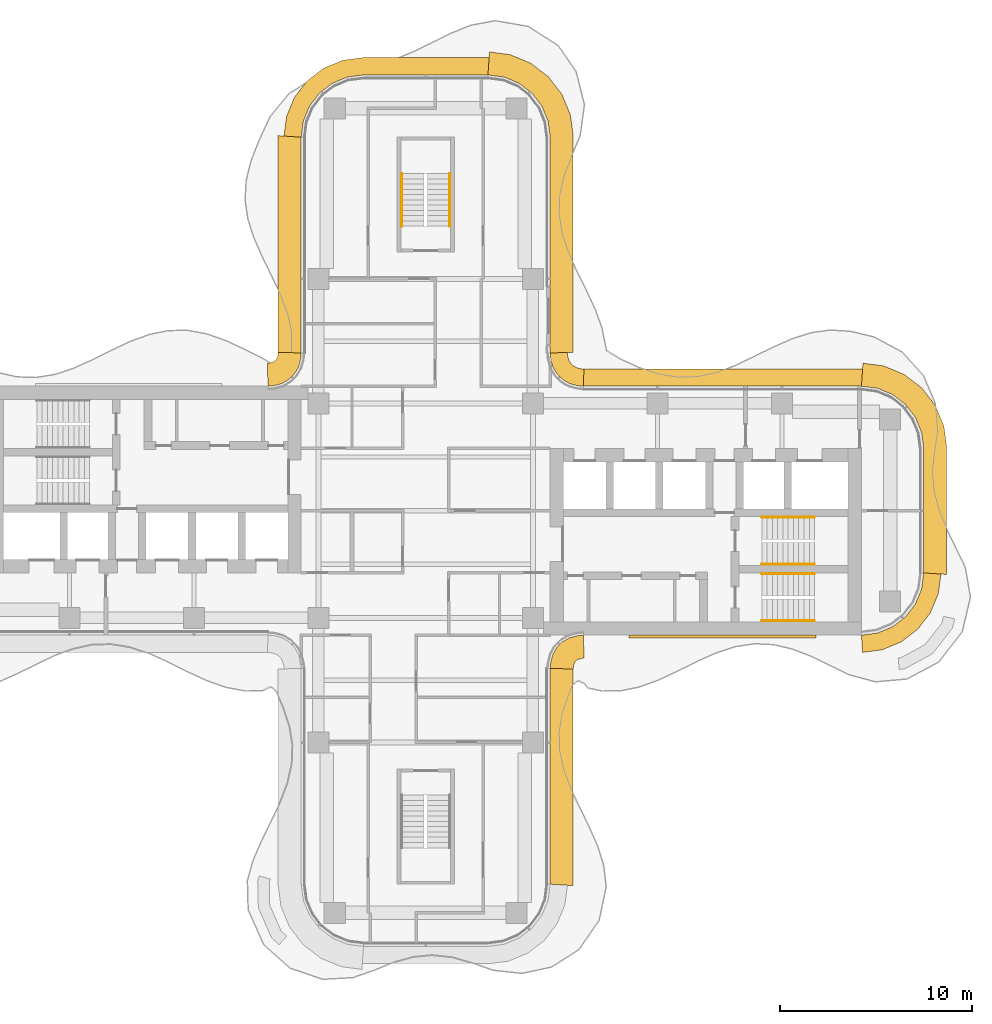
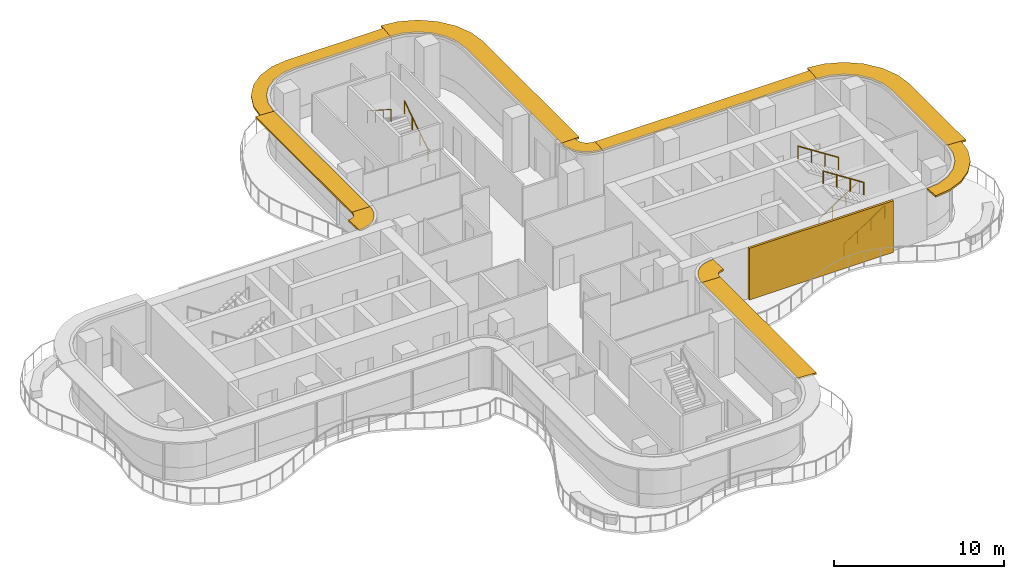
# One storey, part 16 of 16: 10 shading devices, 6 railings, 1 covering.
"""IFC4 building model written with IfcOpenShell, lengths in metres."""

from ifc_helpers import new_model, si_unit, direction, frame, origin, origin_2d, place, context, subcontext, project, spatial, polyline, circle, outline, extrude, source, transform, mapped, material, layer, layer_set, type_object, element, save


model = new_model("IFC4")

# Units and contexts
model_context = context("Model", 3, precision=1e-05, world=origin(), true_north=direction((0.0, 1.0)))
body_context = subcontext(model_context, "Body", "Model", "MODEL_VIEW")
ifc_project = project(units=[si_unit("LENGTHUNIT", "METRE"), si_unit("AREAUNIT", "SQUARE_METRE"), si_unit("VOLUMEUNIT", "CUBIC_METRE"), si_unit("PLANEANGLEUNIT", "RADIAN"), si_unit("MASSUNIT", "GRAM", prefix="KILO")], contexts=[model_context])

# Site, building, storey
site_placement = place(None, origin())
site = spatial("IfcSite", under=ifc_project, at=site_placement, CompositionType="ELEMENT")
building_placement = place(site_placement, origin())
building = spatial("IfcBuilding", under=site, at=building_placement, Name="Trellis Farm Tower", CompositionType="ELEMENT")
storey_placement = place(building_placement, frame((0.0, 0.0, 263.60009765625)))
storey = spatial("IfcBuildingStorey", under=building, at=storey_placement, Name="L59", CompositionType="ELEMENT", Elevation=263.60009765625)

# Railings
ifc_material_1 = material(Name="Stainless steel", Category="steel")
railing_type = type_object("IfcRailingType", Name="STAIR HANDRAIL 900", PredefinedType="HANDRAIL", material=ifc_material_1)
shared_shape_1 = source(origin(), body_context, "Body", "SweptSolid", [
    extrude(circle(Radius=0.02392578125, at=origin_2d()), frame((0.0, 0.0, 0.8759765625), z_axis=(0.0, 0.840503830235, 0.541805602924), x_axis=(-1.0, 0.0, 0.0)), (0.0, 0.0, 1.0), 3.271728515625),
    extrude(circle(Radius=0.02099609375, at=origin_2d()), origin(), (0.0, 0.0, 1.0), 0.851806640625),
    extrude(circle(Radius=0.02099609375, at=origin_2d()), frame((0.0, 0.916748046875, 0.5908203125)), (0.0, 0.0, 1.0), 0.851806640625),
    extrude(circle(Radius=0.02099609375, at=origin_2d()), frame((0.0, 1.833251953125, 1.181884765625)), (0.0, 0.0, 1.0), 0.851806640625),
    extrude(circle(Radius=0.02099609375, at=origin_2d()), frame((0.0, 2.75, 1.772705078125)), (0.0, 0.0, 1.0), 0.851806640625),
])
railing_1_placement = place(storey_placement, frame((1.25, 14.85009765625, 0.17724609375)))
element("IfcRailing", 1, at=railing_1_placement, inside=storey, type_object=railing_type, Name="Stair handrail", PredefinedType="HANDRAIL", context=body_context, shape_type="MappedRepresentation", body=[
    mapped(shared_shape_1, transform((0.0, 0.0, 0.0))),
])
shared_shape_2 = source(origin(), body_context, "Body", "SweptSolid", [
    extrude(circle(Radius=0.02392578125, at=origin_2d()), frame((0.0, 0.0, 0.8759765625), z_axis=(0.0, -0.840503830235, 0.541805602924), x_axis=(1.0, 0.0, 0.0)), (0.0, 0.0, 1.0), 3.271728515625),
    extrude(circle(Radius=0.02099609375, at=origin_2d()), origin(), (0.0, 0.0, 1.0), 0.851806640625),
    extrude(circle(Radius=0.02099609375, at=origin_2d()), frame((0.0, -0.916748046875, 0.5908203125)), (0.0, 0.0, 1.0), 0.851806640625),
    extrude(circle(Radius=0.02099609375, at=origin_2d()), frame((0.0, -1.833251953125, 1.181884765625)), (0.0, 0.0, 1.0), 0.851806640625),
    extrude(circle(Radius=0.02099609375, at=origin_2d()), frame((0.0, -2.75, 1.772705078125)), (0.0, 0.0, 1.0), 0.851806640625),
])
railing_2_placement = place(storey_placement, frame((-1.25, 17.60009765625, 2.127197265625)))
element("IfcRailing", 2, at=railing_2_placement, inside=storey, type_object=railing_type, Name="Stair handrail", PredefinedType="HANDRAIL", context=body_context, shape_type="MappedRepresentation", body=[
    mapped(shared_shape_2, transform((0.0, 0.0, 0.0))),
])
shared_shape_3 = source(origin(), body_context, "Body", "SweptSolid", [
    extrude(circle(Radius=0.02392578125, at=origin_2d()), frame((0.0, 0.0, 0.8759765625), z_axis=(0.840503830235, 0.0, 0.541805602924), x_axis=(0.0, 1.0, 0.0)), (0.0, 0.0, 1.0), 3.271728515625),
    extrude(circle(Radius=0.02099609375, at=origin_2d()), origin(), (0.0, 0.0, 1.0), 0.851806640625),
    extrude(circle(Radius=0.02099609375, at=origin_2d()), frame((0.916748046875, 0.0, 0.5908203125)), (0.0, 0.0, 1.0), 0.851806640625),
    extrude(circle(Radius=0.02099609375, at=origin_2d()), frame((1.833251953125, 0.0, 1.181884765625)), (0.0, 0.0, 1.0), 0.851806640625),
    extrude(circle(Radius=0.02099609375, at=origin_2d()), frame((2.75, 0.0, 1.772705078125)), (0.0, 0.0, 1.0), 0.851806640625),
])
for number, where, name in (
    (3, (17.550048828125, -5.75, 0.17724609375), "Stair handrail"),
    (4, (17.550048828125, -2.800048828125, 0.17724609375), "Stair handrail"),
):
    element("IfcRailing", number, at=place(storey_placement, frame(where)), inside=storey, type_object=railing_type, Name=name, PredefinedType="HANDRAIL", context=body_context, shape_type="MappedRepresentation", body=[
        mapped(shared_shape_3, transform((0.0, 0.0, 0.0))),
    ])
shared_shape_4 = source(origin(), body_context, "Body", "SweptSolid", [
    extrude(circle(Radius=0.02392578125, at=origin_2d()), frame((0.0, 0.0, 0.8759765625), z_axis=(-0.840503830235, 0.0, 0.541805602924), x_axis=(0.0, -1.0, 0.0)), (0.0, 0.0, 1.0), 3.271728515625),
    extrude(circle(Radius=0.02099609375, at=origin_2d()), origin(), (0.0, 0.0, 1.0), 0.851806640625),
    extrude(circle(Radius=0.02099609375, at=origin_2d()), frame((-0.916748046875, 0.0, 0.5908203125)), (0.0, 0.0, 1.0), 0.851806640625),
    extrude(circle(Radius=0.02099609375, at=origin_2d()), frame((-1.833251953125, 0.0, 1.181884765625)), (0.0, 0.0, 1.0), 0.851806640625),
    extrude(circle(Radius=0.02099609375, at=origin_2d()), frame((-2.75, 0.0, 1.772705078125)), (0.0, 0.0, 1.0), 0.851806640625),
])
for number, where, name in (
    (5, (20.300048828125, -3.300048828125, 2.127197265625), "Stair handrail"),
    (6, (20.300048828125, -0.35009765625, 2.127197265625), "Stair handrail"),
):
    element("IfcRailing", number, at=place(storey_placement, frame(where)), inside=storey, type_object=railing_type, Name=name, PredefinedType="HANDRAIL", context=body_context, shape_type="MappedRepresentation", body=[
        mapped(shared_shape_4, transform((0.0, 0.0, 0.0))),
    ])

# Shading devices
ifc_material_2 = material(Name="Aluminium extrusion 6063-T6", Category="aluminium")
ifc_layer_1 = layer(ifc_material_2, 0.1201171875)
ifc_layer_set_1 = layer_set([ifc_layer_1], Name="SUNSHADE BLADE 1200")
shading_device_type_1 = type_object("IfcShadingDeviceType", Name="SUNSHADE BLADE 1200", PredefinedType="USERDEFINED", material=ifc_layer_set_1)
shared_shape_5 = source(origin(), body_context, "Body", "SweptSolid", [
    extrude(outline(polyline([(7.699951171875, -8.270751953125), (7.708740234375, -8.13720703125), (7.70703125, -8.150146484375), (7.7548828125, -7.9716796875), (7.80712890625, -7.881103515625), (7.881103515625, -7.80712890625), (7.9716796875, -7.7548828125), (8.150146484375, -7.70703125), (8.13720703125, -7.708740234375), (8.270751953125, -7.699951171875), (8.2314453125, -6.5), (8.01953125, -6.513916015625), (7.91552734375, -6.527587890625), (7.508544921875, -6.63671875), (7.144287109375, -6.846923828125), (6.846923828125, -7.144287109375), (6.63671875, -7.508544921875), (6.527587890625, -7.91552734375), (6.513916015625, -8.01953125), (6.5, -8.2314453125), (7.699951171875, -8.270751953125)])), origin(), (0.0, 0.0, 1.0), 0.1201171875),
])
placement = place(storey_placement, frame((0.0, 0.0, 3.539794921875)))
element("IfcShadingDevice", 7, at=placement, inside=storey, type_object=shading_device_type_1, Name="SD2 006", ObjectType="SUNSHADE", PredefinedType="USERDEFINED", context=body_context, shape_type="MappedRepresentation", body=[
    mapped(shared_shape_5, transform((0.0, 0.0, 0.0))),
])
ifc_layer_2 = layer(ifc_material_2, 0.1201171875)
ifc_layer_set_2 = layer_set([ifc_layer_2], Name="SUNSHADE BLADE 900")
shading_device_type_2 = type_object("IfcShadingDeviceType", Name="SUNSHADE BLADE 900", PredefinedType="USERDEFINED", material=ifc_layer_set_2)
shared_shape_6 = source(origin(), body_context, "Body", "SweptSolid", [
    extrude(outline(polyline([(8.2607421875, 7.39990234375), (8.107666015625, 7.409912109375), (8.091552734375, 7.412109375), (7.85595703125, 7.475341796875), (7.697021484375, 7.567138671875), (7.567138671875, 7.697021484375), (7.475341796875, 7.85595703125), (7.412109375, 8.091552734375), (7.409912109375, 8.107666015625), (7.39990234375, 8.2607421875), (6.5, 8.2314453125), (6.513916015625, 8.01953125), (6.527587890625, 7.91552734375), (6.63671875, 7.508544921875), (6.846923828125, 7.144287109375), (7.144287109375, 6.846923828125), (7.508544921875, 6.63671875), (7.91552734375, 6.527587890625), (8.01953125, 6.513916015625), (8.2314453125, 6.5), (8.2607421875, 7.39990234375)])), origin(), (0.0, 0.0, 1.0), 0.1201171875),
])
element("IfcShadingDevice", 8, at=placement, inside=storey, type_object=shading_device_type_2, Name="SD1 010", ObjectType="SUNSHADE", PredefinedType="USERDEFINED", context=body_context, shape_type="MappedRepresentation", body=[
    mapped(shared_shape_6, transform((0.0, 0.0, 0.0))),
])
shared_shape_7 = source(origin(), body_context, "Body", "SweptSolid", [
    extrude(outline(polyline([(-7.699951171875, 8.270751953125), (-7.708740234375, 8.13720703125), (-7.70703125, 8.150146484375), (-7.7548828125, 7.9716796875), (-7.80712890625, 7.881103515625), (-7.881103515625, 7.80712890625), (-7.9716796875, 7.7548828125), (-8.150146484375, 7.70703125), (-8.13720703125, 7.708740234375), (-8.270751953125, 7.699951171875), (-8.2314453125, 6.5), (-8.01953125, 6.513916015625), (-7.91552734375, 6.527587890625), (-7.508544921875, 6.63671875), (-7.144287109375, 6.846923828125), (-6.846923828125, 7.144287109375), (-6.63671875, 7.508544921875), (-6.527587890625, 7.91552734375), (-6.513916015625, 8.01953125), (-6.5, 8.2314453125), (-7.699951171875, 8.270751953125)])), origin(), (0.0, 0.0, 1.0), 0.1201171875),
])
element("IfcShadingDevice", 9, at=placement, inside=storey, type_object=shading_device_type_1, Name="SD2 014", ObjectType="SUNSHADE", PredefinedType="USERDEFINED", context=body_context, shape_type="MappedRepresentation", body=[
    mapped(shared_shape_7, transform((0.0, 0.0, 0.0))),
])
shared_shape_8 = source(origin(), body_context, "Body", "SweptSolid", [
    extrude(outline(polyline([(7.699951171875, 8.270751953125), (7.699951171875, 19.57861328125), (7.558349609375, 20.654541015625), (7.11279296875, 21.730224609375), (6.404052734375, 22.654052734375), (5.480224609375, 23.36279296875), (4.404541015625, 23.808349609375), (3.32861328125, 23.949951171875), (3.25, 22.75), (4.091064453125, 22.63916015625), (4.875, 22.314697265625), (5.548095703125, 21.798095703125), (6.064697265625, 21.125), (6.38916015625, 20.341064453125), (6.5, 19.5), (6.5, 8.2314453125), (7.699951171875, 8.270751953125)])), origin(), (0.0, 0.0, 1.0), 0.1201171875),
])
element("IfcShadingDevice", 10, at=placement, inside=storey, type_object=shading_device_type_1, Name="SD2 011", ObjectType="SUNSHADE", PredefinedType="USERDEFINED", context=body_context, shape_type="MappedRepresentation", body=[
    mapped(shared_shape_8, transform((0.0, 0.0, 0.0))),
])
shared_shape_9 = source(origin(), body_context, "Body", "SweptSolid", [
    extrude(outline(polyline([(3.30908203125, 23.64990234375), (-3.30908203125, 23.64990234375), (-4.326171875, 23.51611328125), (-5.328857421875, 23.100830078125), (-6.18994140625, 22.43994140625), (-6.850830078125, 21.578857421875), (-7.26611328125, 20.576171875), (-7.39990234375, 19.55908203125), (-6.5, 19.5), (-6.38916015625, 20.341064453125), (-6.064697265625, 21.125), (-5.548095703125, 21.798095703125), (-4.875, 22.314697265625), (-4.091064453125, 22.63916015625), (-3.25, 22.75), (3.25, 22.75), (3.30908203125, 23.64990234375)])), origin(), (0.0, 0.0, 1.0), 0.1201171875),
])
element("IfcShadingDevice", 11, at=placement, inside=storey, type_object=shading_device_type_2, Name="SD1 012", ObjectType="SUNSHADE", PredefinedType="USERDEFINED", context=body_context, shape_type="MappedRepresentation", body=[
    mapped(shared_shape_9, transform((0.0, 0.0, 0.0))),
])
shared_shape_10 = source(origin(), body_context, "Body", "SweptSolid", [
    extrude(outline(polyline([(-7.699951171875, 19.57861328125), (-7.699951171875, 8.270751953125), (-6.5, 8.2314453125), (-6.5, 19.5), (-7.699951171875, 19.57861328125)])), origin(), (0.0, 0.0, 1.0), 0.1201171875),
])
element("IfcShadingDevice", 12, at=placement, inside=storey, type_object=shading_device_type_1, Name="SD2 013", ObjectType="SUNSHADE", PredefinedType="USERDEFINED", context=body_context, shape_type="MappedRepresentation", body=[
    mapped(shared_shape_10, transform((0.0, 0.0, 0.0))),
])
shared_shape_11 = source(origin(), body_context, "Body", "SweptSolid", [
    extrude(outline(polyline([(22.80908203125, -7.39990234375), (23.826171875, -7.26611328125), (24.828857421875, -6.850830078125), (25.68994140625, -6.18994140625), (26.350830078125, -5.328857421875), (26.76611328125, -4.326171875), (26.89990234375, -3.30908203125), (26.0, -3.25), (25.88916015625, -4.091064453125), (25.564697265625, -4.875), (25.048095703125, -5.548095703125), (24.375, -6.064697265625), (23.591064453125, -6.38916015625), (22.75, -6.5), (22.80908203125, -7.39990234375)])), origin(), (0.0, 0.0, 1.0), 0.1201171875),
])
element("IfcShadingDevice", 13, at=placement, inside=storey, type_object=shading_device_type_2, Name="SD1 007", ObjectType="SUNSHADE", PredefinedType="USERDEFINED", context=body_context, shape_type="MappedRepresentation", body=[
    mapped(shared_shape_11, transform((0.0, 0.0, 0.0))),
])
shared_shape_12 = source(origin(), body_context, "Body", "SweptSolid", [
    extrude(outline(polyline([(27.199951171875, -3.32861328125), (27.199951171875, 3.32861328125), (27.058349609375, 4.404541015625), (26.61279296875, 5.480224609375), (25.904052734375, 6.404052734375), (24.980224609375, 7.11279296875), (23.904541015625, 7.558349609375), (22.82861328125, 7.699951171875), (22.75, 6.5), (23.591064453125, 6.38916015625), (24.375, 6.064697265625), (25.048095703125, 5.548095703125), (25.564697265625, 4.875), (25.88916015625, 4.091064453125), (26.0, 3.25), (26.0, -3.25), (27.199951171875, -3.32861328125)])), origin(), (0.0, 0.0, 1.0), 0.1201171875),
])
element("IfcShadingDevice", 14, at=placement, inside=storey, type_object=shading_device_type_1, Name="SD2 008", ObjectType="SUNSHADE", PredefinedType="USERDEFINED", context=body_context, shape_type="MappedRepresentation", body=[
    mapped(shared_shape_12, transform((0.0, 0.0, 0.0))),
])
shared_shape_13 = source(origin(), body_context, "Body", "SweptSolid", [
    extrude(outline(polyline([(22.80908203125, 7.39990234375), (8.2607421875, 7.39990234375), (8.2314453125, 6.5), (22.75, 6.5), (22.80908203125, 7.39990234375)])), origin(), (0.0, 0.0, 1.0), 0.1201171875),
])
element("IfcShadingDevice", 15, at=placement, inside=storey, type_object=shading_device_type_2, Name="SD1 009", ObjectType="SUNSHADE", PredefinedType="USERDEFINED", context=body_context, shape_type="MappedRepresentation", body=[
    mapped(shared_shape_13, transform((0.0, 0.0, 0.0))),
])

# Covering
ifc_material_3 = material(Name="Perforated precast screen (cobogo)", Category="concrete")
ifc_layer_3 = layer(ifc_material_3, 0.14990234375)
ifc_layer_set_3 = layer_set([ifc_layer_3], Name="COBOGO SCREEN PANEL")
covering_type = type_object("IfcCoveringType", Name="COBOGO SCREEN PANEL", PredefinedType="USERDEFINED", material=ifc_layer_set_3)
shared_shape_14 = source(origin(), body_context, "Body", "SweptSolid", [
    extrude(outline(polyline([(10.61572265625, -6.64990234375), (20.36572265625, -6.64990234375), (20.36572265625, -6.5), (10.61572265625, -6.5), (10.61572265625, -6.64990234375)])), origin(), (0.0, 0.0, 1.0), 3.699951171875),
])
covering_placement = place(storey_placement, origin())
element("IfcCovering", 16, at=covering_placement, inside=storey, type_object=covering_type, Name="SC1 01", ObjectType="SCREEN", PredefinedType="USERDEFINED", context=body_context, shape_type="MappedRepresentation", body=[
    mapped(shared_shape_14, transform((0.0, 0.0, 0.0))),
])

# Shading device
shared_shape_15 = source(origin(), body_context, "Body", "SweptSolid", [
    extrude(outline(polyline([(7.699951171875, -19.57861328125), (7.699951171875, -8.270751953125), (6.5, -8.2314453125), (6.5, -19.5), (7.699951171875, -19.57861328125)])), origin(), (0.0, 0.0, 1.0), 0.1201171875),
])
element("IfcShadingDevice", 17, at=placement, inside=storey, type_object=shading_device_type_1, Name="SD2 005", ObjectType="SUNSHADE", PredefinedType="USERDEFINED", context=body_context, shape_type="MappedRepresentation", body=[
    mapped(shared_shape_15, transform((0.0, 0.0, 0.0))),
])

save(model, "model.ifc")
